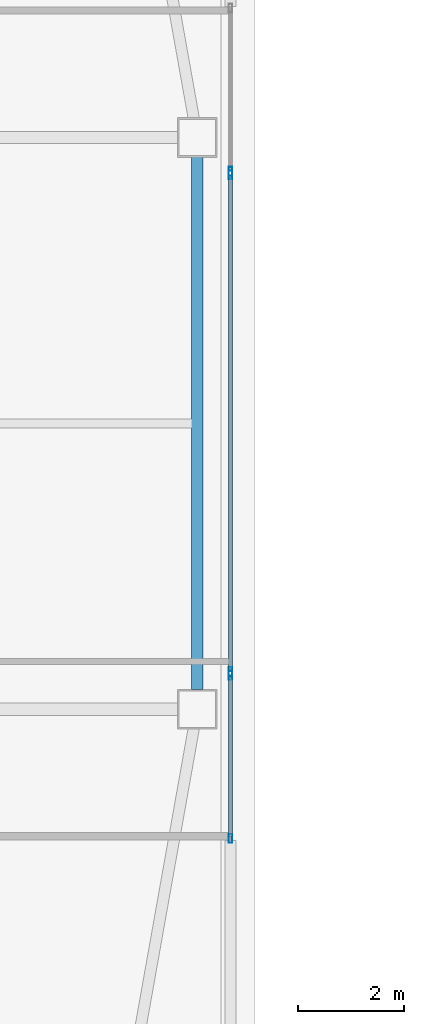
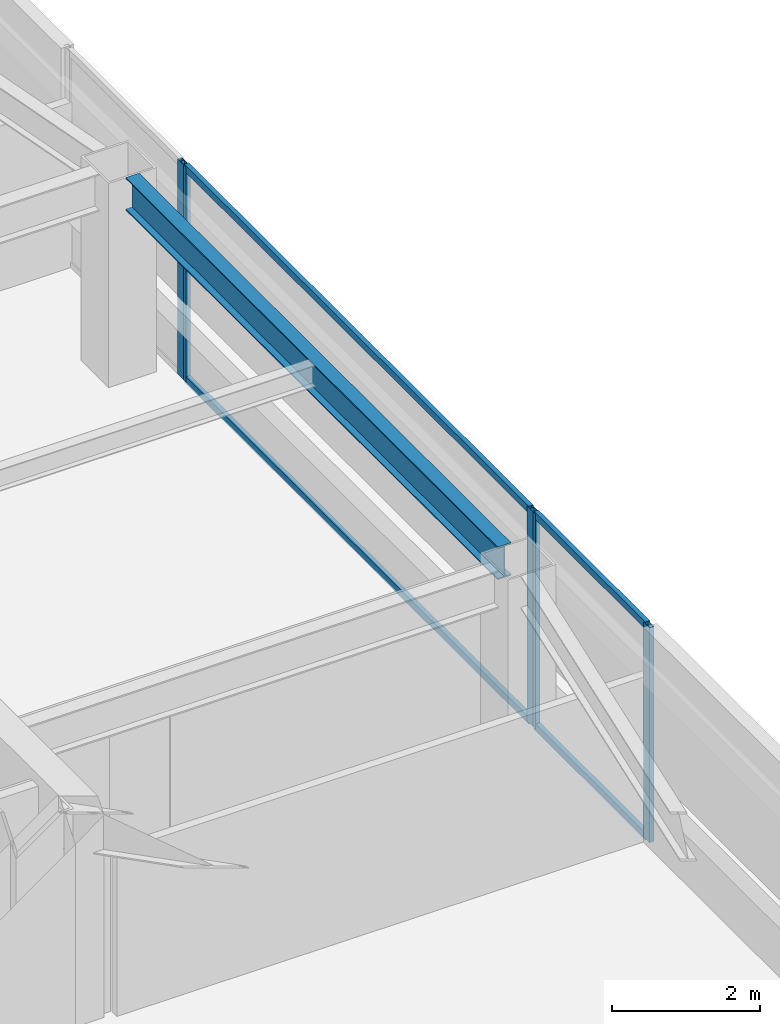
# One storey, part 11 of 40: 9 members, 1 beam, 3 elements without a shape of their own.
"""IFC4 building model written with IfcOpenShell, lengths in metres."""

from ifc_helpers import new_model, si_unit, direction, frame, origin, origin_2d, place, context, subcontext, project, spatial, hollow_rectangle, i_section, extrude, material, material_profile, profile_set, type_object, element, aggregate, save


model = new_model("IFC4")

# Units and contexts
model_context = context("Model", 3, precision=1e-05, world=origin(), true_north=direction((0.0, 1.0)))
body_context = subcontext(model_context, "Body", "Model", "MODEL_VIEW")
ifc_project = project(units=[si_unit("LENGTHUNIT", "METRE"), si_unit("AREAUNIT", "SQUARE_METRE"), si_unit("VOLUMEUNIT", "CUBIC_METRE"), si_unit("PLANEANGLEUNIT", "RADIAN"), si_unit("MASSUNIT", "GRAM", prefix="KILO")], contexts=[model_context])

# Site, building, storey
site_placement = place(None, origin())
site = spatial("IfcSite", under=ifc_project, at=site_placement, CompositionType="ELEMENT")
building_placement = place(site_placement, origin())
building = spatial("IfcBuilding", under=site, at=building_placement, Name="Tashvorn Skyway Center", CompositionType="ELEMENT")
storey_placement = place(building_placement, frame((0.0, 0.0, 221.949951171875)))
storey = spatial("IfcBuildingStorey", under=building, at=storey_placement, Name="L60", CompositionType="ELEMENT", Elevation=221.949951171875)

# Beam
ifc_material_1 = material(Name="Steel ASTM A992 Grade 50", Category="steel")
ifc_material_profile_1 = material_profile(ifc_material_1, i_section(OverallWidth=0.2109375, OverallDepth=0.5390625, WebThickness=0.01171875, FlangeThickness=0.018798828125, at=origin_2d()), Name="W21X73")
ifc_profile_set_1 = profile_set([ifc_material_profile_1], Name="Steel ASTM A992 Grade 50")
beam_type = type_object("IfcBeamType", Name="BM-SPANDREL-W21X73", PredefinedType="SPANDREL", material=ifc_profile_set_1)
beam_placement = place(storey_placement, frame((57.64990234375, 26.969970703125, 3.1005859375), z_axis=(0.0, 1.0, 0.0), x_axis=(-1.0, 0.0, 0.0)))
element("IfcBeam", 1, at=beam_placement, inside=storey, type_object=beam_type, Name="Tower 1 L60 Spandrel Beam 05", PredefinedType="SPANDREL", context=body_context, shape_type="SweptSolid", body=[
    extrude(i_section(OverallWidth=0.2109375, OverallDepth=0.5390625, WebThickness=0.01171875, FlangeThickness=0.018798828125, at=origin_2d()), origin(), (0.0, 0.0, 1.0), 10.06005859375),
])

# Curtain wall, member
ifc_material_2 = material(Name="Thermally broken bronze-anodized aluminium 6063-T6", Category="aluminium")
curtain_wall_type = type_object("IfcCurtainWallType", Name="CW-CW-Z5", PredefinedType="NOTDEFINED", material=ifc_material_2)
curtain_wall_1_placement = place(storey_placement, origin())
curtain_wall_1 = element("IfcCurtainWall", 2, at=curtain_wall_1_placement, inside=storey, type_object=curtain_wall_type, Name="Tower 1 L60 East Unitised Curtain Wall Glazing Group 1", PredefinedType="NOTDEFINED")
ifc_material_profile_2 = material_profile(ifc_material_2, hollow_rectangle(XDim=0.070068359375, YDim=0.1650390625, WallThickness=0.00390625, at=origin_2d()), Name="ALU-MULL-70x165")
ifc_profile_set_2 = profile_set([ifc_material_profile_2], Name="Thermally broken bronze-anodized aluminium 6063-T6")
member_type_1 = type_object("IfcMemberType", Name="CWM-CW-Z5", PredefinedType="MULLION", material=ifc_profile_set_2)
member_1_placement = place(storey_placement, frame((58.280029296875, 36.76171875, 0.0), z_axis=(0.0, 0.0, 1.0), x_axis=(1.0, 0.0, 0.0)))
member_1 = element("IfcMember", 3, at=member_1_placement, type_object=member_type_1, Name="CW-Z5 mullion 2", PredefinedType="MULLION", context=body_context, shape_type="SweptSolid", body=[
    extrude(hollow_rectangle(XDim=0.070068359375, YDim=0.1650390625, WallThickness=0.00390625, at=origin_2d()), origin(), (0.0, 0.0, 1.0), 3.550048828125),
])
aggregate(curtain_wall_1, [member_1])

# Curtain wall, members
curtain_wall_2_placement = place(storey_placement, origin())
curtain_wall_2 = element("IfcCurtainWall", 4, at=curtain_wall_2_placement, inside=storey, type_object=curtain_wall_type, Name="Tower 1 L60 East Unitised Curtain Wall Glazing Group 2", PredefinedType="NOTDEFINED")
member_2_placement = place(storey_placement, frame((58.280029296875, 36.691650390625, 0.0), z_axis=(0.0, 0.0, 1.0), x_axis=(1.0, 0.0, 0.0)))
member_2 = element("IfcMember", 5, at=member_2_placement, type_object=member_type_1, Name="CW-Z5 mullion 1", PredefinedType="MULLION", context=body_context, shape_type="SweptSolid", body=[
    extrude(hollow_rectangle(XDim=0.070068359375, YDim=0.1650390625, WallThickness=0.00390625, at=origin_2d()), origin(), (0.0, 0.0, 1.0), 3.550048828125),
])
member_3_placement = place(storey_placement, frame((58.280029296875, 27.308349609375, 0.0), z_axis=(0.0, 0.0, 1.0), x_axis=(1.0, 0.0, 0.0)))
member_3 = element("IfcMember", 6, at=member_3_placement, type_object=member_type_1, Name="CW-Z5 mullion 2", PredefinedType="MULLION", context=body_context, shape_type="SweptSolid", body=[
    extrude(hollow_rectangle(XDim=0.070068359375, YDim=0.1650390625, WallThickness=0.00390625, at=origin_2d()), origin(), (0.0, 0.0, 1.0), 3.550048828125),
])

curtain_wall_3_placement = place(storey_placement, origin())
curtain_wall_3 = element("IfcCurtainWall", 7, at=curtain_wall_3_placement, inside=storey, type_object=curtain_wall_type, Name="Tower 1 L60 East Unitised Curtain Wall Glazing Group 3", PredefinedType="NOTDEFINED")
member_4_placement = place(storey_placement, frame((58.280029296875, 27.23828125, 0.0), z_axis=(0.0, 0.0, 1.0), x_axis=(1.0, 0.0, 0.0)))
member_4 = element("IfcMember", 8, at=member_4_placement, type_object=member_type_1, Name="CW-Z5 mullion 1", PredefinedType="MULLION", context=body_context, shape_type="SweptSolid", body=[
    extrude(hollow_rectangle(XDim=0.070068359375, YDim=0.1650390625, WallThickness=0.00390625, at=origin_2d()), origin(), (0.0, 0.0, 1.0), 3.550048828125),
])
member_5_placement = place(storey_placement, frame((58.280029296875, 24.1572265625, 0.0), z_axis=(0.0, 0.0, 1.0), x_axis=(1.0, 0.0, 0.0)))
member_5 = element("IfcMember", 9, at=member_5_placement, type_object=member_type_1, Name="CW-Z5 mullion 2", PredefinedType="MULLION", context=body_context, shape_type="SweptSolid", body=[
    extrude(hollow_rectangle(XDim=0.070068359375, YDim=0.1650390625, WallThickness=0.00390625, at=origin_2d()), origin(), (0.0, 0.0, 1.0), 3.550048828125),
])

# Member
ifc_material_profile_3 = material_profile(ifc_material_2, hollow_rectangle(XDim=0.070068359375, YDim=0.114990234375, WallThickness=0.00390625, at=origin_2d()), Name="ALU-TRAN-70x115")
ifc_profile_set_3 = profile_set([ifc_material_profile_3], Name="Thermally broken bronze-anodized aluminium 6063-T6")
member_type_2 = type_object("IfcMemberType", Name="CWT-CW-Z5", PredefinedType="USERDEFINED", material=ifc_profile_set_3)
member_6_placement = place(storey_placement, frame((58.280029296875, 36.65673828125, 0.03515625), z_axis=(0.0, -1.0, 0.0), x_axis=(1.0, 0.0, 0.0)))
member_6 = element("IfcMember", 10, at=member_6_placement, type_object=member_type_2, Name="CW-Z5 transom 1.1", ObjectType="TRANSOM", PredefinedType="USERDEFINED", context=body_context, shape_type="SweptSolid", body=[
    extrude(hollow_rectangle(XDim=0.070068359375, YDim=0.114990234375, WallThickness=0.00390625, at=origin_2d()), origin(), (0.0, 0.0, 1.0), 9.3134765625),
])

member_7_placement = place(storey_placement, frame((58.280029296875, 36.65673828125, 3.51513671875), z_axis=(0.0, -1.0, 0.0), x_axis=(1.0, 0.0, 0.0)))
member_7 = element("IfcMember", 11, at=member_7_placement, type_object=member_type_2, Name="CW-Z5 transom 1.2", ObjectType="TRANSOM", PredefinedType="USERDEFINED", context=body_context, shape_type="SweptSolid", body=[
    extrude(hollow_rectangle(XDim=0.070068359375, YDim=0.114990234375, WallThickness=0.00390625, at=origin_2d()), origin(), (0.0, 0.0, 1.0), 9.3134765625),
])

aggregate(curtain_wall_2, [member_2, member_3, member_6, member_7])

member_8_placement = place(storey_placement, frame((58.280029296875, 27.203369140625, 0.03515625), z_axis=(0.0, -1.0, 0.0), x_axis=(1.0, 0.0, 0.0)))
member_8 = element("IfcMember", 12, at=member_8_placement, type_object=member_type_2, Name="CW-Z5 transom 1.1", ObjectType="TRANSOM", PredefinedType="USERDEFINED", context=body_context, shape_type="SweptSolid", body=[
    extrude(hollow_rectangle(XDim=0.070068359375, YDim=0.114990234375, WallThickness=0.00390625, at=origin_2d()), origin(), (0.0, 0.0, 1.0), 3.01123046875),
])

member_9_placement = place(storey_placement, frame((58.280029296875, 27.203369140625, 3.51513671875), z_axis=(0.0, -1.0, 0.0), x_axis=(1.0, 0.0, 0.0)))
member_9 = element("IfcMember", 13, at=member_9_placement, type_object=member_type_2, Name="CW-Z5 transom 1.2", ObjectType="TRANSOM", PredefinedType="USERDEFINED", context=body_context, shape_type="SweptSolid", body=[
    extrude(hollow_rectangle(XDim=0.070068359375, YDim=0.114990234375, WallThickness=0.00390625, at=origin_2d()), origin(), (0.0, 0.0, 1.0), 3.01123046875),
])

aggregate(curtain_wall_3, [member_4, member_5, member_8, member_9])

save(model, "model.ifc")
